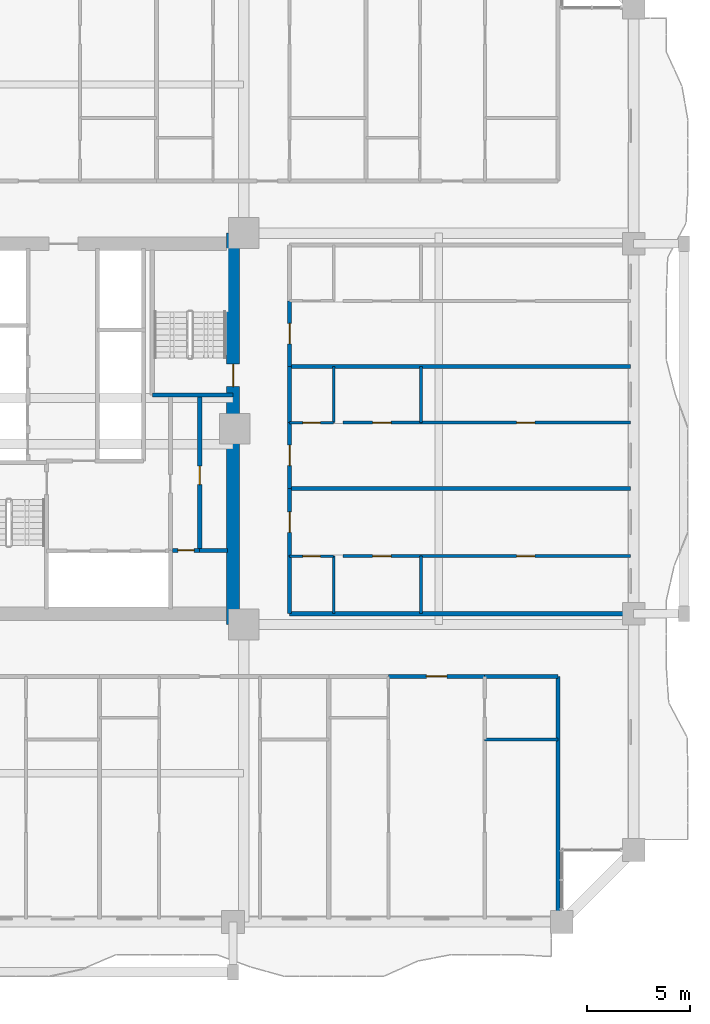
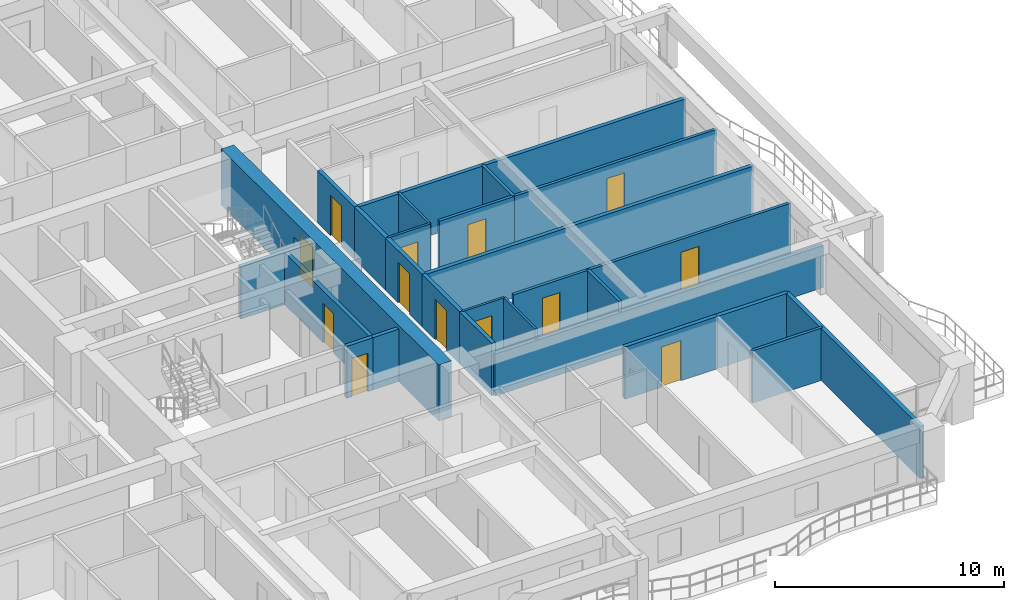
# One storey, part 17 of 27: 27 walls, 13 doors, 13 openings.
"""IFC4 building model written with IfcOpenShell, lengths in metres."""

from ifc_helpers import new_model, si_unit, direction, frame, frame_2d, origin, place, context, subcontext, project, spatial, rectangle, extrude, source, transform, mapped, material, layer, layer_set, type_object, element, fill, save


model = new_model("IFC4")

# Units and contexts
model_context = context("Model", 3, precision=1e-05, world=origin(), true_north=direction((0.0, 1.0)))
body_context = subcontext(model_context, "Body", "Model", "MODEL_VIEW")
ifc_project = project(units=[si_unit("LENGTHUNIT", "METRE"), si_unit("AREAUNIT", "SQUARE_METRE"), si_unit("VOLUMEUNIT", "CUBIC_METRE"), si_unit("PLANEANGLEUNIT", "RADIAN"), si_unit("MASSUNIT", "GRAM", prefix="KILO")], contexts=[model_context])

# Site, building, storey
site_placement = place(None, origin())
site = spatial("IfcSite", under=ifc_project, at=site_placement, CompositionType="ELEMENT")
building_placement = place(site_placement, origin())
building = spatial("IfcBuilding", under=site, at=building_placement, Name="Saelheon Loggia Tower", CompositionType="ELEMENT")
storey_placement = place(building_placement, frame((0.0, 0.0, 43.39990234375)))
storey = spatial("IfcBuildingStorey", under=building, at=storey_placement, Name="L13", CompositionType="ELEMENT", Elevation=43.39990234375)

# Wall, opening, door
ifc_material_1 = material(Name="Concrete C60/75", Category="concrete")
ifc_layer_1 = layer(ifc_material_1, 0.64990234375)
ifc_layer_set_1 = layer_set([ifc_layer_1], Name="Concrete C60/75")
wall_type_1 = type_object("IfcWallType", Name="Wall_CoreShear_650", PredefinedType="SHEAR", material=ifc_layer_set_1)
wall_1_placement = place(storey_placement, frame((44.5, 17.47998046875, 0.0), z_axis=(0.0, 0.0, 1.0), x_axis=(0.0, 1.0, 0.0)))
wall_1 = element("IfcWall", 1, at=wall_1_placement, inside=storey, type_object=wall_type_1, Name="L13 Core Shear Wall East", PredefinedType="SHEAR", context=body_context, shape_type="SweptSolid", body=[
    extrude(rectangle(XDim=19.0400390625, YDim=0.64990234375, at=frame_2d((9.52001953125, 0.0))), origin(), (0.0, 0.0, 1.0), 3.0),
])
opening_1_placement = place(wall_1_placement, frame((12.670166015625, 0.0, 0.0), z_axis=(0.0, 0.0, 1.0), x_axis=(-1.0, 0.0, 0.0)))
opening_1 = element("IfcOpeningElement", 2, at=opening_1_placement, cuts=wall_1, Name="Opening D-FD2", PredefinedType="OPENING", context=body_context, shape_type="SweptSolid", body=[
    extrude(rectangle(XDim=1.10009765625, YDim=2.14990234375, at=frame_2d((0.550048828125, 1.074951171875))), frame((0.0, 0.3369140625, 0.0), z_axis=(0.0, -1.0, 0.0), x_axis=(1.0, 0.0, 0.0)), (0.0, 0.0, 1.0), 0.673828125),
])
ifc_material_2 = material(Name="Galvanised Steel Fire Door", Category="steel")
door_type_1 = type_object("IfcDoorType", Name="Door_Fire_FD60_1100", OperationType="NOTDEFINED", PredefinedType="DOOR", material=ifc_material_2)
shared_shape_1 = source(origin(), body_context, "Body", "SweptSolid", [
    extrude(rectangle(XDim=1.10009765625, YDim=2.14990234375, at=frame_2d((0.550048828125, 1.074951171875))), frame((0.0, 0.02490234375, 0.0), z_axis=(0.0, -1.0, 0.0), x_axis=(1.0, 0.0, 0.0)), (0.0, 0.0, 1.0), 0.050048828125),
])
door_1_placement = place(opening_1_placement, origin())
door_1 = element("IfcDoor", 3, at=door_1_placement, inside=storey, type_object=door_type_1, Name="L13 Stair ST2 Corridor Door", OperationType="SINGLE_SWING_RIGHT", OverallHeight=2.14990234375, OverallWidth=1.10009765625, PredefinedType="DOOR", context=body_context, shape_type="MappedRepresentation", body=[
    mapped(shared_shape_1, transform((0.0, 0.0, 0.0), scale=1.0)),
])
fill(opening_1, door_1)

# Walls
ifc_material_3 = material(Name="Lightweight Autoclaved Aerated Concrete Block and Acoustic Gypsum", Category="concrete")
ifc_layer_2 = layer(ifc_material_3, 0.14990234375)
ifc_layer_set_2 = layer_set([ifc_layer_2], Name="Lightweight Autoclaved Aerated Concrete Block and Acoustic Gypsum")
wall_type_2 = type_object("IfcWallType", Name="Wall_Part_150", PredefinedType="PARTITIONING", material=ifc_layer_set_2)
wall_2_placement = place(storey_placement, frame((56.748779296875, 11.8798828125, 0.0), z_axis=(0.0, 0.0, 1.0), x_axis=(1.0, 0.0, 0.0)))
element("IfcWall", 4, at=wall_2_placement, inside=storey, type_object=wall_type_2, Name="L13 S Partition V40", PredefinedType="PARTITIONING", context=body_context, shape_type="SweptSolid", body=[
    extrude(rectangle(XDim=3.5712890625, YDim=0.14990234375, at=frame_2d((1.78564453125, 0.0))), origin(), (0.0, 0.0, 1.0), 2.7900390625),
])
wall_3_placement = place(storey_placement, frame((53.639892578125, 18.0, 0.0), z_axis=(0.0, 0.0, 1.0), x_axis=(0.0, 1.0, 0.0)))
element("IfcWall", 5, at=wall_3_placement, inside=storey, type_object=wall_type_2, Name="L13 E Partition V07", PredefinedType="PARTITIONING", context=body_context, shape_type="SweptSolid", body=[
    extrude(rectangle(XDim=2.807373046875, YDim=0.14990234375, at=frame_2d((1.40380859375, 0.0))), origin(), (0.0, 0.0, 1.0), 2.7900390625),
])

# Wall, opening, door
wall_4_placement = place(storey_placement, frame((49.840087890625, 20.807373046875, 0.0), z_axis=(0.0, 0.0, 1.0), x_axis=(1.0, 0.0, 0.0)))
wall_4 = element("IfcWall", 6, at=wall_4_placement, inside=storey, type_object=wall_type_2, Name="L13 E Partition U08", PredefinedType="PARTITIONING", context=body_context, shape_type="SweptSolid", body=[
    extrude(rectangle(XDim=3.7998046875, YDim=0.14990234375, at=frame_2d((1.89990234375, 0.0))), origin(), (0.0, 0.0, 1.0), 2.7900390625),
])
opening_2_placement = place(wall_4_placement, frame((1.449951171875, 0.0, 0.0)))
opening_2 = element("IfcOpeningElement", 7, at=opening_2_placement, cuts=wall_4, Name="Opening D-IN2", PredefinedType="OPENING", context=body_context, shape_type="SweptSolid", body=[
    extrude(rectangle(XDim=0.89990234375, YDim=2.10009765625, at=frame_2d((0.449951171875, 1.050048828125))), frame((0.0, 0.0869140625, 0.0), z_axis=(0.0, -1.0, 0.0), x_axis=(1.0, 0.0, 0.0)), (0.0, 0.0, 1.0), 0.173828125),
])
ifc_material_4 = material(Name="Engineered Oak Flush Door", Category="timber")
door_type_2 = type_object("IfcDoorType", Name="Door_Int_900", OperationType="NOTDEFINED", PredefinedType="DOOR", material=ifc_material_4)
shared_shape_2 = source(origin(), body_context, "Body", "SweptSolid", [
    extrude(rectangle(XDim=0.89990234375, YDim=2.10009765625, at=frame_2d((0.449951171875, 1.050048828125))), frame((0.0, 0.02490234375, 0.0), z_axis=(0.0, -1.0, 0.0), x_axis=(1.0, 0.0, 0.0)), (0.0, 0.0, 1.0), 0.050048828125),
])
door_2_placement = place(opening_2_placement, origin())
door_2 = element("IfcDoor", 8, at=door_2_placement, inside=storey, type_object=door_type_2, Name="Unit U11 Kitchen Door", OperationType="SINGLE_SWING_RIGHT", OverallHeight=2.10009765625, OverallWidth=0.89990234375, PredefinedType="DOOR", context=body_context, shape_type="MappedRepresentation", body=[
    mapped(shared_shape_2, transform((0.0, 0.0, 0.0), scale=1.0)),
])
fill(opening_2, door_2)

wall_5_placement = place(storey_placement, frame((53.639892578125, 20.807373046875, 0.0), z_axis=(0.0, 0.0, 1.0), x_axis=(1.0, 0.0, 0.0)))
wall_5 = element("IfcWall", 9, at=wall_5_placement, inside=storey, type_object=wall_type_2, Name="L13 E Partition U09", PredefinedType="PARTITIONING", context=body_context, shape_type="SweptSolid", body=[
    extrude(rectangle(XDim=10.210205078125, YDim=0.14990234375, at=frame_2d((5.10498046875, 0.0))), origin(), (0.0, 0.0, 1.0), 2.7900390625),
])
opening_3_placement = place(wall_5_placement, frame((4.655029296875, 0.0, 0.0)))
opening_3 = element("IfcOpeningElement", 10, at=opening_3_placement, cuts=wall_5, Name="Opening D-IN2", PredefinedType="OPENING", context=body_context, shape_type="SweptSolid", body=[
    extrude(rectangle(XDim=0.89990234375, YDim=2.10009765625, at=frame_2d((0.449951171875, 1.050048828125))), frame((0.0, 0.0869140625, 0.0), z_axis=(0.0, -1.0, 0.0), x_axis=(1.0, 0.0, 0.0)), (0.0, 0.0, 1.0), 0.173828125),
])
door_3_placement = place(opening_3_placement, origin())
door_3 = element("IfcDoor", 11, at=door_3_placement, inside=storey, type_object=door_type_2, Name="Unit U11 Bedroom 1 Door", OperationType="SINGLE_SWING_LEFT", OverallHeight=2.10009765625, OverallWidth=0.89990234375, PredefinedType="DOOR", context=body_context, shape_type="MappedRepresentation", body=[
    mapped(shared_shape_2, transform((0.0, 0.0, 0.0), scale=1.0)),
])
fill(opening_3, door_3)

# Wall
wall_6_placement = place(storey_placement, frame((53.639892578125, 27.3017578125, 0.0), z_axis=(0.0, 0.0, 1.0), x_axis=(0.0, 1.0, 0.0)))
element("IfcWall", 12, at=wall_6_placement, inside=storey, type_object=wall_type_2, Name="L13 E Partition V15", PredefinedType="PARTITIONING", context=body_context, shape_type="SweptSolid", body=[
    extrude(rectangle(XDim=2.724853515625, YDim=0.14990234375, at=frame_2d((1.3623046875, 0.0))), origin(), (0.0, 0.0, 1.0), 2.7900390625),
])

# Wall, opening, door
wall_7_placement = place(storey_placement, frame((49.840087890625, 27.3017578125, 0.0), z_axis=(0.0, 0.0, 1.0), x_axis=(1.0, 0.0, 0.0)))
wall_7 = element("IfcWall", 13, at=wall_7_placement, inside=storey, type_object=wall_type_2, Name="L13 E Partition U16", PredefinedType="PARTITIONING", context=body_context, shape_type="SweptSolid", body=[
    extrude(rectangle(XDim=3.7998046875, YDim=0.14990234375, at=frame_2d((1.89990234375, 0.0))), origin(), (0.0, 0.0, 1.0), 2.7900390625),
])
opening_4_placement = place(wall_7_placement, frame((1.449951171875, 0.0, 0.0)))
opening_4 = element("IfcOpeningElement", 14, at=opening_4_placement, cuts=wall_7, Name="Opening D-IN2", PredefinedType="OPENING", context=body_context, shape_type="SweptSolid", body=[
    extrude(rectangle(XDim=0.89990234375, YDim=2.10009765625, at=frame_2d((0.449951171875, 1.050048828125))), frame((0.0, 0.0869140625, 0.0), z_axis=(0.0, -1.0, 0.0), x_axis=(1.0, 0.0, 0.0)), (0.0, 0.0, 1.0), 0.173828125),
])
door_4_placement = place(opening_4_placement, origin())
door_4 = element("IfcDoor", 15, at=door_4_placement, inside=storey, type_object=door_type_2, Name="Unit U12 Kitchen Door", OperationType="SINGLE_SWING_RIGHT", OverallHeight=2.10009765625, OverallWidth=0.89990234375, PredefinedType="DOOR", context=body_context, shape_type="MappedRepresentation", body=[
    mapped(shared_shape_2, transform((0.0, 0.0, 0.0), scale=1.0)),
])
fill(opening_4, door_4)

wall_8_placement = place(storey_placement, frame((53.639892578125, 27.3017578125, 0.0), z_axis=(0.0, 0.0, 1.0), x_axis=(1.0, 0.0, 0.0)))
wall_8 = element("IfcWall", 16, at=wall_8_placement, inside=storey, type_object=wall_type_2, Name="L13 E Partition U17", PredefinedType="PARTITIONING", context=body_context, shape_type="SweptSolid", body=[
    extrude(rectangle(XDim=10.210205078125, YDim=0.14990234375, at=frame_2d((5.10498046875, 0.0))), origin(), (0.0, 0.0, 1.0), 2.7900390625),
])
opening_5_placement = place(wall_8_placement, frame((4.655029296875, 0.0, 0.0)))
opening_5 = element("IfcOpeningElement", 17, at=opening_5_placement, cuts=wall_8, Name="Opening D-IN2", PredefinedType="OPENING", context=body_context, shape_type="SweptSolid", body=[
    extrude(rectangle(XDim=0.89990234375, YDim=2.10009765625, at=frame_2d((0.449951171875, 1.050048828125))), frame((0.0, 0.0869140625, 0.0), z_axis=(0.0, -1.0, 0.0), x_axis=(1.0, 0.0, 0.0)), (0.0, 0.0, 1.0), 0.173828125),
])
door_5_placement = place(opening_5_placement, origin())
door_5 = element("IfcDoor", 18, at=door_5_placement, inside=storey, type_object=door_type_2, Name="Unit U12 Bedroom 1 Door", OperationType="SINGLE_SWING_LEFT", OverallHeight=2.10009765625, OverallWidth=0.89990234375, PredefinedType="DOOR", context=body_context, shape_type="MappedRepresentation", body=[
    mapped(shared_shape_2, transform((0.0, 0.0, 0.0), scale=1.0)),
])
fill(opening_5, door_5)

# Wall
ifc_material_5 = material(Name="Double Acoustic Stud and Fireboard Partition", Category="gypsum")
ifc_layer_3 = layer(ifc_material_5, 0.199951171875)
ifc_layer_set_3 = layer_set([ifc_layer_3], Name="Double Acoustic Stud and Fireboard Partition")
wall_type_3 = type_object("IfcWallType", Name="Wall_Party_200", PredefinedType="PARTITIONING", material=ifc_layer_set_3)
wall_9_placement = place(storey_placement, frame((60.320068359375, 14.949951171875, 0.0), z_axis=(0.0, 0.0, 1.0), x_axis=(0.0, -1.0, 0.0)))
element("IfcWall", 19, at=wall_9_placement, inside=storey, type_object=wall_type_3, Name="L13 S Partition U02", PredefinedType="PARTITIONING", context=body_context, shape_type="SweptSolid", body=[
    extrude(rectangle(XDim=11.800048828125, YDim=0.199951171875, at=frame_2d((5.89990234375, 0.0))), origin(), (0.0, 0.0, 1.0), 2.7900390625),
])

# Wall, opening, door
wall_10_placement = place(storey_placement, frame((52.0615234375, 14.949951171875, 0.0), z_axis=(0.0, 0.0, 1.0), x_axis=(1.0, 0.0, 0.0)))
wall_10 = element("IfcWall", 20, at=wall_10_placement, inside=storey, type_object=wall_type_3, Name="L13 S Partition V37", PredefinedType="PARTITIONING", context=body_context, shape_type="SweptSolid", body=[
    extrude(rectangle(XDim=4.687255859375, YDim=0.199951171875, at=frame_2d((2.34375, 0.0))), origin(), (0.0, 0.0, 1.0), 2.7900390625),
])
opening_6_placement = place(wall_10_placement, frame((1.843505859375, 0.0, 0.0)))
opening_6 = element("IfcOpeningElement", 21, at=opening_6_placement, cuts=wall_10, Name="Opening D-FD1", PredefinedType="OPENING", context=body_context, shape_type="SweptSolid", body=[
    extrude(rectangle(XDim=1.0, YDim=2.14990234375, at=frame_2d((0.5, 1.074951171875))), frame((0.0, 0.112060546875, 0.0), z_axis=(0.0, -1.0, 0.0), x_axis=(1.0, 0.0, 0.0)), (0.0, 0.0, 1.0), 0.223876953125),
])
ifc_material_6 = material(Name="Fire-Rated Engineered Timber Entrance Door", Category="wood")
door_type_3 = type_object("IfcDoorType", Name="Door_Flat_FD30S", OperationType="NOTDEFINED", PredefinedType="DOOR", material=ifc_material_6)
shared_shape_3 = source(origin(), body_context, "Body", "SweptSolid", [
    extrude(rectangle(XDim=1.0, YDim=2.14990234375, at=frame_2d((0.5, 1.074951171875))), frame((0.0, 0.02490234375, 0.0), z_axis=(0.0, -1.0, 0.0), x_axis=(1.0, 0.0, 0.0)), (0.0, 0.0, 1.0), 0.050048828125),
])
door_6_placement = place(opening_6_placement, origin())
door_6 = element("IfcDoor", 22, at=door_6_placement, inside=storey, type_object=door_type_3, Name="Unit U04 Entrance Door", OperationType="SINGLE_SWING_RIGHT", OverallHeight=2.14990234375, OverallWidth=1.0, PredefinedType="DOOR", context=body_context, shape_type="MappedRepresentation", body=[
    mapped(shared_shape_3, transform((0.0, 0.0, 0.0), scale=1.0)),
])
fill(opening_6, door_6)

# Walls
wall_11_placement = place(storey_placement, frame((56.748779296875, 14.949951171875, 0.0), z_axis=(0.0, 0.0, 1.0), x_axis=(1.0, 0.0, 0.0)))
element("IfcWall", 23, at=wall_11_placement, inside=storey, type_object=wall_type_3, Name="L13 S Partition V38", PredefinedType="PARTITIONING", context=body_context, shape_type="SweptSolid", body=[
    extrude(rectangle(XDim=3.5712890625, YDim=0.199951171875, at=frame_2d((1.78564453125, 0.0))), origin(), (0.0, 0.0, 1.0), 2.7900390625),
])
wall_12_placement = place(storey_placement, frame((47.25, 18.0, 0.0), z_axis=(0.0, 0.0, 1.0), x_axis=(1.0, 0.0, 0.0)))
element("IfcWall", 24, at=wall_12_placement, inside=storey, type_object=wall_type_3, Name="L13 E Partition U01", PredefinedType="PARTITIONING", context=body_context, shape_type="SweptSolid", body=[
    extrude(rectangle(XDim=16.60009765625, YDim=0.199951171875, at=frame_2d((8.300048828125, 0.0))), origin(), (0.0, 0.0, 1.0), 2.239990234375),
])
wall_13_placement = place(storey_placement, frame((47.25, 18.0, 0.0), z_axis=(0.0, 0.0, 1.0), x_axis=(0.0, 1.0, 0.0)))
element("IfcWall", 25, at=wall_13_placement, inside=storey, type_object=wall_type_3, Name="L13 E Partition V03", PredefinedType="PARTITIONING", context=body_context, shape_type="SweptSolid", body=[
    extrude(rectangle(XDim=2.807373046875, YDim=0.199951171875, at=frame_2d((1.40380859375, 0.0))), origin(), (0.0, 0.0, 1.0), 2.7900390625),
])

# Wall, opening, door
wall_14_placement = place(storey_placement, frame((47.25, 20.807373046875, 0.0), z_axis=(0.0, 0.0, 1.0), x_axis=(0.0, 1.0, 0.0)))
wall_14 = element("IfcWall", 26, at=wall_14_placement, inside=storey, type_object=wall_type_3, Name="L13 E Partition V04", PredefinedType="PARTITIONING", context=body_context, shape_type="SweptSolid", body=[
    extrude(rectangle(XDim=3.295654296875, YDim=0.199951171875, at=frame_2d((1.64794921875, 0.0))), origin(), (0.0, 0.0, 1.0), 2.7900390625),
])
opening_7_placement = place(wall_14_placement, frame((1.147705078125, 0.0, 0.0)))
opening_7 = element("IfcOpeningElement", 27, at=opening_7_placement, cuts=wall_14, Name="Opening D-FD1", PredefinedType="OPENING", context=body_context, shape_type="SweptSolid", body=[
    extrude(rectangle(XDim=1.0, YDim=2.14990234375, at=frame_2d((0.5, 1.074951171875))), frame((0.0, 0.112060546875, 0.0), z_axis=(0.0, -1.0, 0.0), x_axis=(1.0, 0.0, 0.0)), (0.0, 0.0, 1.0), 0.223876953125),
])
door_7_placement = place(opening_7_placement, origin())
door_7 = element("IfcDoor", 28, at=door_7_placement, inside=storey, type_object=door_type_3, Name="Unit U11 Entrance Door", OperationType="SINGLE_SWING_RIGHT", OverallHeight=2.14990234375, OverallWidth=1.0, PredefinedType="DOOR", context=body_context, shape_type="MappedRepresentation", body=[
    mapped(shared_shape_3, transform((0.0, 0.0, 0.0), scale=1.0)),
])
fill(opening_7, door_7)

# Wall
wall_15_placement = place(storey_placement, frame((47.25, 24.10302734375, 0.0), z_axis=(0.0, 0.0, 1.0), x_axis=(1.0, 0.0, 0.0)))
element("IfcWall", 29, at=wall_15_placement, inside=storey, type_object=wall_type_3, Name="L13 E Partition U10", PredefinedType="PARTITIONING", context=body_context, shape_type="SweptSolid", body=[
    extrude(rectangle(XDim=16.60009765625, YDim=0.199951171875, at=frame_2d((8.300048828125, 0.0))), origin(), (0.0, 0.0, 1.0), 2.7900390625),
])

# Wall, opening, door
wall_16_placement = place(storey_placement, frame((47.25, 24.10302734375, 0.0), z_axis=(0.0, 0.0, 1.0), x_axis=(0.0, 1.0, 0.0)))
wall_16 = element("IfcWall", 30, at=wall_16_placement, inside=storey, type_object=wall_type_3, Name="L13 E Partition V11", PredefinedType="PARTITIONING", context=body_context, shape_type="SweptSolid", body=[
    extrude(rectangle(XDim=3.19873046875, YDim=0.199951171875, at=frame_2d((1.599365234375, 0.0))), origin(), (0.0, 0.0, 1.0), 2.7900390625),
])
opening_8_placement = place(wall_16_placement, frame((1.099365234375, 0.0, 0.0)))
opening_8 = element("IfcOpeningElement", 31, at=opening_8_placement, cuts=wall_16, Name="Opening D-FD1", PredefinedType="OPENING", context=body_context, shape_type="SweptSolid", body=[
    extrude(rectangle(XDim=1.0, YDim=2.14990234375, at=frame_2d((0.5, 1.074951171875))), frame((0.0, 0.112060546875, 0.0), z_axis=(0.0, -1.0, 0.0), x_axis=(1.0, 0.0, 0.0)), (0.0, 0.0, 1.0), 0.223876953125),
])
door_8_placement = place(opening_8_placement, origin())
door_8 = element("IfcDoor", 32, at=door_8_placement, inside=storey, type_object=door_type_3, Name="Unit U12 Entrance Door", OperationType="SINGLE_SWING_RIGHT", OverallHeight=2.14990234375, OverallWidth=1.0, PredefinedType="DOOR", context=body_context, shape_type="MappedRepresentation", body=[
    mapped(shared_shape_3, transform((0.0, 0.0, 0.0), scale=1.0)),
])
fill(opening_8, door_8)

# Walls
wall_17_placement = place(storey_placement, frame((47.25, 27.3017578125, 0.0), z_axis=(0.0, 0.0, 1.0), x_axis=(0.0, 1.0, 0.0)))
element("IfcWall", 33, at=wall_17_placement, inside=storey, type_object=wall_type_3, Name="L13 E Partition V12", PredefinedType="PARTITIONING", context=body_context, shape_type="SweptSolid", body=[
    extrude(rectangle(XDim=2.724853515625, YDim=0.199951171875, at=frame_2d((1.3623046875, 0.0))), origin(), (0.0, 0.0, 1.0), 2.7900390625),
])
wall_18_placement = place(storey_placement, frame((47.25, 30.026611328125, 0.0), z_axis=(0.0, 0.0, 1.0), x_axis=(1.0, 0.0, 0.0)))
element("IfcWall", 34, at=wall_18_placement, inside=storey, type_object=wall_type_3, Name="L13 E Partition U18", PredefinedType="PARTITIONING", context=body_context, shape_type="SweptSolid", body=[
    extrude(rectangle(XDim=16.60009765625, YDim=0.199951171875, at=frame_2d((8.300048828125, 0.0))), origin(), (0.0, 0.0, 1.0), 2.7900390625),
])

# Wall, opening, door
wall_19_placement = place(storey_placement, frame((47.25, 30.026611328125, 0.0), z_axis=(0.0, 0.0, 1.0), x_axis=(0.0, 1.0, 0.0)))
wall_19 = element("IfcWall", 35, at=wall_19_placement, inside=storey, type_object=wall_type_3, Name="L13 E Partition V19", PredefinedType="PARTITIONING", context=body_context, shape_type="SweptSolid", body=[
    extrude(rectangle(XDim=3.198486328125, YDim=0.199951171875, at=frame_2d((1.59912109375, 0.0))), origin(), (0.0, 0.0, 1.0), 2.7900390625),
])
opening_9_placement = place(wall_19_placement, frame((1.099365234375, 0.0, 0.0)))
opening_9 = element("IfcOpeningElement", 36, at=opening_9_placement, cuts=wall_19, Name="Opening D-FD1", PredefinedType="OPENING", context=body_context, shape_type="SweptSolid", body=[
    extrude(rectangle(XDim=1.0, YDim=2.14990234375, at=frame_2d((0.5, 1.074951171875))), frame((0.0, 0.112060546875, 0.0), z_axis=(0.0, -1.0, 0.0), x_axis=(1.0, 0.0, 0.0)), (0.0, 0.0, 1.0), 0.223876953125),
])
door_9_placement = place(opening_9_placement, origin())
door_9 = element("IfcDoor", 37, at=door_9_placement, inside=storey, type_object=door_type_3, Name="Unit U13 Entrance Door", OperationType="SINGLE_SWING_RIGHT", OverallHeight=2.14990234375, OverallWidth=1.0, PredefinedType="DOOR", context=body_context, shape_type="MappedRepresentation", body=[
    mapped(shared_shape_3, transform((0.0, 0.0, 0.0), scale=1.0)),
])
fill(opening_9, door_9)

ifc_material_7 = material(Name="Concrete C40/50", Category="concrete")
ifc_layer_4 = layer(ifc_material_7, 0.199951171875)
ifc_layer_set_4 = layer_set([ifc_layer_4], Name="Concrete C40/50")
wall_type_4 = type_object("IfcWallType", Name="Wall_Shaft_200", PredefinedType="PARTITIONING", material=ifc_layer_set_4)
wall_20_placement = place(storey_placement, frame((41.550048828125, 21.080078125, 0.0), z_axis=(0.0, 0.0, 1.0), x_axis=(1.0, 0.0, 0.0)))
wall_20 = element("IfcWall", 38, at=wall_20_placement, inside=storey, type_object=wall_type_4, Name="CW-BOH-L13-HS", PredefinedType="PARTITIONING", context=body_context, shape_type="SweptSolid", body=[
    extrude(rectangle(XDim=1.329833984375, YDim=0.199951171875, at=frame_2d((0.6650390625, 0.0))), origin(), (0.0, 0.0, 1.0), 2.7900390625),
])
opening_10_placement = place(wall_20_placement, frame((0.260009765625, 0.0, 0.0)))
opening_10 = element("IfcOpeningElement", 39, at=opening_10_placement, cuts=wall_20, Name="Opening D-ST1", PredefinedType="OPENING", context=body_context, shape_type="SweptSolid", body=[
    extrude(rectangle(XDim=0.800048828125, YDim=2.050048828125, at=frame_2d((0.39990234375, 1.02490234375))), frame((0.0, 0.112060546875, 0.0), z_axis=(0.0, -1.0, 0.0), x_axis=(1.0, 0.0, 0.0)), (0.0, 0.0, 1.0), 0.223876953125),
])
ifc_material_8 = material(Name="Powder-Coated Steel Store Door", Category="steel")
door_type_4 = type_object("IfcDoorType", Name="Door_Store_800", OperationType="NOTDEFINED", PredefinedType="DOOR", material=ifc_material_8)
shared_shape_4 = source(origin(), body_context, "Body", "SweptSolid", [
    extrude(rectangle(XDim=0.800048828125, YDim=2.050048828125, at=frame_2d((0.39990234375, 1.02490234375))), frame((0.0, 0.02490234375, 0.0), z_axis=(0.0, -1.0, 0.0), x_axis=(1.0, 0.0, 0.0)), (0.0, 0.0, 1.0), 0.050048828125),
])
door_10_placement = place(opening_10_placement, origin())
door_10 = element("IfcDoor", 40, at=door_10_placement, inside=storey, type_object=door_type_4, Name="L13 Electrical Riser Door", OperationType="SINGLE_SWING_RIGHT", OverallHeight=2.050048828125, OverallWidth=0.800048828125, PredefinedType="DOOR", context=body_context, shape_type="MappedRepresentation", body=[
    mapped(shared_shape_4, transform((0.0, 0.0, 0.0), scale=1.0)),
])
fill(opening_10, door_10)

# Wall
wall_21_placement = place(storey_placement, frame((42.8798828125, 21.080078125, 0.0), z_axis=(0.0, 0.0, 1.0), x_axis=(1.0, 0.0, 0.0)))
element("IfcWall", 41, at=wall_21_placement, inside=storey, type_object=wall_type_4, Name="CW-BOH-L13-HS2", PredefinedType="PARTITIONING", context=body_context, shape_type="SweptSolid", body=[
    extrude(rectangle(XDim=1.340087890625, YDim=0.199951171875, at=frame_2d((0.669921875, 0.0))), origin(), (0.0, 0.0, 1.0), 2.7900390625),
])

# Wall, opening, door
wall_22_placement = place(storey_placement, frame((42.8798828125, 21.080078125, 0.0), z_axis=(0.0, 0.0, 1.0), x_axis=(0.0, 1.0, 0.0)))
wall_22 = element("IfcWall", 42, at=wall_22_placement, inside=storey, type_object=wall_type_4, Name="CW-BOH-L13-VS", PredefinedType="PARTITIONING", context=body_context, shape_type="SweptSolid", body=[
    extrude(rectangle(XDim=7.469970703125, YDim=0.199951171875, at=frame_2d((3.73486328125, 0.0))), origin(), (0.0, 0.0, 1.0), 2.7900390625),
])
opening_11_placement = place(wall_22_placement, frame((3.199951171875, 0.0, 0.0)))
opening_11 = element("IfcOpeningElement", 43, at=opening_11_placement, cuts=wall_22, Name="Opening D-RS1", PredefinedType="OPENING", context=body_context, shape_type="SweptSolid", body=[
    extrude(rectangle(XDim=0.89990234375, YDim=2.10009765625, at=frame_2d((0.449951171875, 1.050048828125))), frame((0.0, 0.112060546875, 0.0), z_axis=(0.0, -1.0, 0.0), x_axis=(1.0, 0.0, 0.0)), (0.0, 0.0, 1.0), 0.223876953125),
])
ifc_material_9 = material(Name="Galvanised Steel Riser Access Door", Category="steel")
door_type_5 = type_object("IfcDoorType", Name="Door_Riser_FD60", OperationType="NOTDEFINED", PredefinedType="DOOR", material=ifc_material_9)
door_11_placement = place(opening_11_placement, origin())
door_11 = element("IfcDoor", 44, at=door_11_placement, inside=storey, type_object=door_type_5, Name="L13 Linen Store Door", OperationType="SINGLE_SWING_LEFT", OverallHeight=2.10009765625, OverallWidth=0.89990234375, PredefinedType="DOOR", context=body_context, shape_type="MappedRepresentation", body=[
    mapped(shared_shape_2, transform((0.0, 0.0, 0.0), scale=1.0)),
])
fill(opening_11, door_11)

# Wall
ifc_material_10 = material(Name="Concrete C45/55", Category="concrete")
ifc_layer_5 = layer(ifc_material_10, 0.199951171875)
ifc_layer_set_5 = layer_set([ifc_layer_5], Name="Concrete C45/55")
wall_type_5 = type_object("IfcWallType", Name="Wall_StairShaft_RC200", PredefinedType="SOLIDWALL", material=ifc_layer_set_5)
wall_23_placement = place(storey_placement, frame((40.570068359375, 28.64990234375, 0.0), z_axis=(0.0, 0.0, 1.0), x_axis=(1.0, 0.0, 0.0)))
element("IfcWall", 45, at=wall_23_placement, inside=storey, type_object=wall_type_5, Name="L13 Stair ST2 South Wall", PredefinedType="SOLIDWALL", context=body_context, shape_type="SweptSolid", body=[
    extrude(rectangle(XDim=3.929931640625, YDim=0.199951171875, at=frame_2d((1.96484375, 0.0))), origin(), (0.0, 0.0, 1.0), 2.7900390625),
])

# Wall, opening, door
ifc_material_11 = material(Name="Moisture-Resistant Cement Board Partition", Category="gypsum")
ifc_layer_6 = layer(ifc_material_11, 0.1201171875)
ifc_layer_set_6 = layer_set([ifc_layer_6], Name="Moisture-Resistant Cement Board Partition")
wall_type_6 = type_object("IfcWallType", Name="Wall_WetPart_120", PredefinedType="PARTITIONING", material=ifc_layer_set_6)
wall_24_placement = place(storey_placement, frame((47.25, 20.807373046875, 0.0), z_axis=(0.0, 0.0, 1.0), x_axis=(1.0, 0.0, 0.0)))
wall_24 = element("IfcWall", 46, at=wall_24_placement, inside=storey, type_object=wall_type_6, Name="L13 E Partition U05", PredefinedType="PARTITIONING", context=body_context, shape_type="SweptSolid", body=[
    extrude(rectangle(XDim=2.14990234375, YDim=0.1201171875, at=frame_2d((1.074951171875, 0.0))), origin(), (0.0, 0.0, 1.0), 2.7900390625),
])
opening_12_placement = place(wall_24_placement, frame((0.64990234375, 0.0, 0.0)))
opening_12 = element("IfcOpeningElement", 47, at=opening_12_placement, cuts=wall_24, Name="Opening D-BT1", PredefinedType="OPENING", context=body_context, shape_type="SweptSolid", body=[
    extrude(rectangle(XDim=0.85009765625, YDim=2.050048828125, at=frame_2d((0.425048828125, 1.02490234375))), frame((0.0, 0.072021484375, 0.0), z_axis=(0.0, -1.0, 0.0), x_axis=(1.0, 0.0, 0.0)), (0.0, 0.0, 1.0), 0.14404296875),
])
ifc_material_12 = material(Name="Moisture-Resistant Laminate Timber Door", Category="wood")
door_type_6 = type_object("IfcDoorType", Name="Door_Bath_850", OperationType="NOTDEFINED", PredefinedType="DOOR", material=ifc_material_12)
shared_shape_5 = source(origin(), body_context, "Body", "SweptSolid", [
    extrude(rectangle(XDim=0.85009765625, YDim=2.050048828125, at=frame_2d((0.425048828125, 1.02490234375))), frame((0.0, 0.02490234375, 0.0), z_axis=(0.0, -1.0, 0.0), x_axis=(1.0, 0.0, 0.0)), (0.0, 0.0, 1.0), 0.050048828125),
])
door_12_placement = place(opening_12_placement, origin())
door_12 = element("IfcDoor", 48, at=door_12_placement, inside=storey, type_object=door_type_6, Name="Unit U11 Bathroom Door", OperationType="SINGLE_SWING_LEFT", OverallHeight=2.050048828125, OverallWidth=0.85009765625, PredefinedType="DOOR", context=body_context, shape_type="MappedRepresentation", body=[
    mapped(shared_shape_5, transform((0.0, 0.0, 0.0), scale=1.0)),
])
fill(opening_12, door_12)

# Wall
wall_25_placement = place(storey_placement, frame((49.39990234375, 18.0, 0.0), z_axis=(0.0, 0.0, 1.0), x_axis=(0.0, 1.0, 0.0)))
element("IfcWall", 49, at=wall_25_placement, inside=storey, type_object=wall_type_6, Name="L13 E Partition V06", PredefinedType="PARTITIONING", context=body_context, shape_type="SweptSolid", body=[
    extrude(rectangle(XDim=2.807373046875, YDim=0.1201171875, at=frame_2d((1.40380859375, 0.0))), origin(), (0.0, 0.0, 1.0), 2.7900390625),
])

# Wall, opening, door
wall_26_placement = place(storey_placement, frame((47.25, 27.3017578125, 0.0), z_axis=(0.0, 0.0, 1.0), x_axis=(1.0, 0.0, 0.0)))
wall_26 = element("IfcWall", 50, at=wall_26_placement, inside=storey, type_object=wall_type_6, Name="L13 E Partition U13", PredefinedType="PARTITIONING", context=body_context, shape_type="SweptSolid", body=[
    extrude(rectangle(XDim=2.14990234375, YDim=0.1201171875, at=frame_2d((1.074951171875, 0.0))), origin(), (0.0, 0.0, 1.0), 2.7900390625),
])
opening_13_placement = place(wall_26_placement, frame((0.64990234375, 0.0, 0.0)))
opening_13 = element("IfcOpeningElement", 51, at=opening_13_placement, cuts=wall_26, Name="Opening D-BT1", PredefinedType="OPENING", context=body_context, shape_type="SweptSolid", body=[
    extrude(rectangle(XDim=0.85009765625, YDim=2.050048828125, at=frame_2d((0.425048828125, 1.02490234375))), frame((0.0, 0.072021484375, 0.0), z_axis=(0.0, -1.0, 0.0), x_axis=(1.0, 0.0, 0.0)), (0.0, 0.0, 1.0), 0.14404296875),
])
door_13_placement = place(opening_13_placement, origin())
door_13 = element("IfcDoor", 52, at=door_13_placement, inside=storey, type_object=door_type_6, Name="Unit U12 Bathroom Door", OperationType="SINGLE_SWING_LEFT", OverallHeight=2.050048828125, OverallWidth=0.85009765625, PredefinedType="DOOR", context=body_context, shape_type="MappedRepresentation", body=[
    mapped(shared_shape_5, transform((0.0, 0.0, 0.0), scale=1.0)),
])
fill(opening_13, door_13)

# Wall
wall_27_placement = place(storey_placement, frame((49.39990234375, 27.3017578125, 0.0), z_axis=(0.0, 0.0, 1.0), x_axis=(0.0, 1.0, 0.0)))
element("IfcWall", 53, at=wall_27_placement, inside=storey, type_object=wall_type_6, Name="L13 E Partition V14", PredefinedType="PARTITIONING", context=body_context, shape_type="SweptSolid", body=[
    extrude(rectangle(XDim=2.724853515625, YDim=0.1201171875, at=frame_2d((1.3623046875, 0.0))), origin(), (0.0, 0.0, 1.0), 2.7900390625),
])

save(model, "model.ifc")
